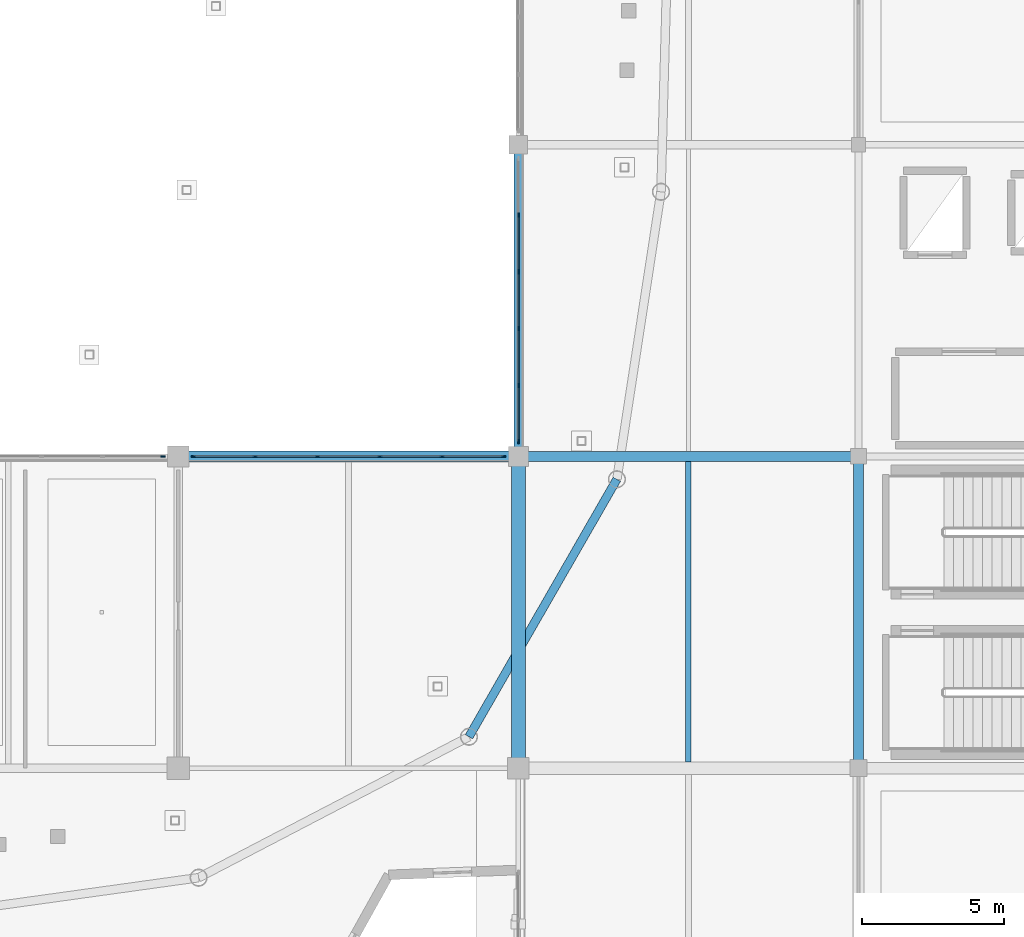
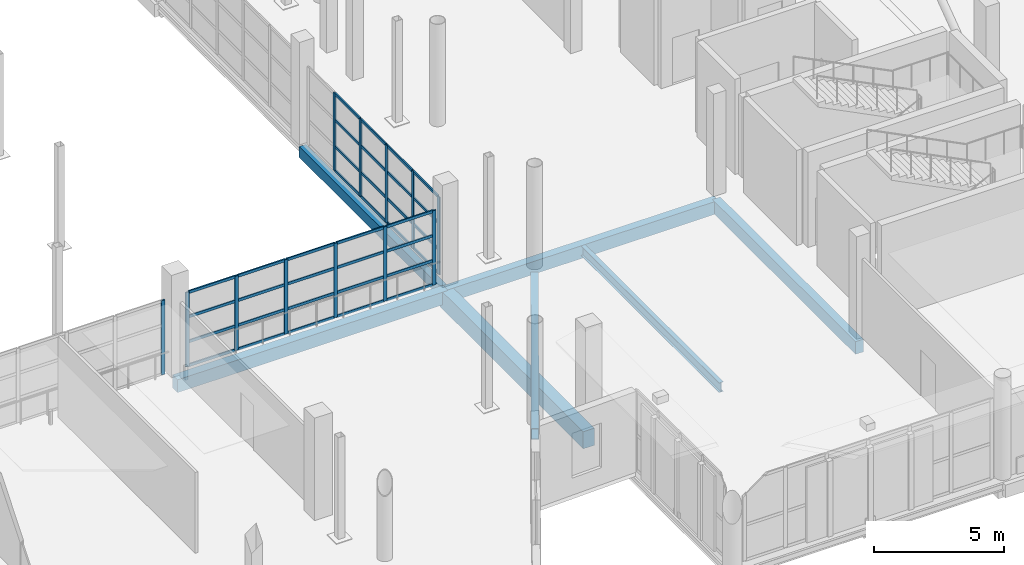
# One storey, part 56 of 143: 48 members, 7 beams, 3 elements without a shape of their own.
"""IFC4 building model written with IfcOpenShell, lengths in metres."""

import ifcopenshell
import ifcopenshell.guid

model = None  # the IFC model being written
_history = None  # IfcOwnerHistory: only IFC2X3 demands one
_inside = {}  # id of a spatial element -> (the spatial element, [elements in it])
_under = {}  # id of a project, library or spatial element -> (it, [spatial elements below it])
_declared = {}  # id of a project -> (the project, [libraries it declares])
_typed = {}  # id of a type object -> (the type object, [elements of that type])
_made_of = {}  # id of a material, layer set ... -> (it, [elements and type objects made of it])


def new_model(schema):
    """Start an empty IFC model of exactly this schema.

    Asked for "IFC4X3", IfcOpenShell would pick the latest addendum, in which some entities
    have other attributes; the version numbers below select the first issue.
    IFC2X3 requires an IfcOwnerHistory on every rooted entity: one is made here for all.
    """
    global model, _history
    if schema == "IFC4X3":
        model = ifcopenshell.file(schema_version=(4, 3, 0, 0))
    else:
        model = ifcopenshell.file(schema=schema)
    _inside.clear()
    _under.clear()
    _declared.clear()
    _typed.clear()
    _made_of.clear()
    _history = None
    if model.schema == "IFC2X3":
        org = make("IfcOrganization", Name="unknown")
        user = make(
            "IfcPersonAndOrganization",
            ThePerson=make("IfcPerson", FamilyName="unknown"),
            TheOrganization=org,
        )
        app = make(
            "IfcApplication",
            ApplicationDeveloper=org,
            Version="unknown",
            ApplicationFullName="unknown",
            ApplicationIdentifier="unknown",
        )
        _history = make(
            "IfcOwnerHistory",
            OwningUser=user,
            OwningApplication=app,
            ChangeAction="ADDED",
            CreationDate=0,
        )
    return model


def make(cls, **values):
    """One entity of the class cls with the attributes given. An attribute that is None is left unset."""
    return model.create_entity(
        cls, **{name: value for name, value in values.items() if value is not None}
    )


def rooted(cls, **values):
    """An entity with a GlobalId (a new one), such as an element, a storey or a relation."""
    return make(cls, GlobalId=ifcopenshell.guid.new(), OwnerHistory=_history, **values)


def si_unit(unit_type, name, prefix=None):
    """IfcSIUnit, for example si_unit("LENGTHUNIT", "METRE", prefix="MILLI")."""
    return make("IfcSIUnit", UnitType=unit_type, Prefix=prefix, Name=name)


def assignment(units):
    """IfcUnitAssignment: the units of a project."""
    return None if units is None else make("IfcUnitAssignment", Units=units)


def point(xyz):
    """IfcCartesianPoint."""
    return None if xyz is None else make("IfcCartesianPoint", Coordinates=xyz)


def direction(xyz):
    """IfcDirection."""
    return None if xyz is None else make("IfcDirection", DirectionRatios=xyz)


def frame(location, z_axis=None, x_axis=None):
    """IfcAxis2Placement3D, a coordinate frame: its origin and axes. An axis left out is left unset."""
    return make(
        "IfcAxis2Placement3D",
        Location=point(location),
        Axis=direction(z_axis),
        RefDirection=direction(x_axis),
    )


def frame_2d(location, x_axis=None):
    """IfcAxis2Placement2D, a coordinate frame in the plane: its origin and x axis."""
    return make(
        "IfcAxis2Placement2D", Location=point(location), RefDirection=direction(x_axis)
    )


def origin():
    """The frame at (0, 0, 0) with its axes left unset."""
    return frame((0.0, 0.0, 0.0))


def origin_2d():
    """The frame at (0, 0) in the plane with its x axis left unset."""
    return frame_2d((0.0, 0.0))


def place(relative_to, where):
    """IfcLocalPlacement: puts the frame where relative to a parent placement (None: the world)."""
    return make(
        "IfcLocalPlacement", PlacementRelTo=relative_to, RelativePlacement=where
    )


def context(
    kind, dimensions, precision=None, world=None, true_north=None, identifier=None
):
    """IfcGeometricRepresentationContext, for example the 3D "Model" context."""
    return make(
        "IfcGeometricRepresentationContext",
        ContextIdentifier=identifier,
        ContextType=kind,
        CoordinateSpaceDimension=dimensions,
        Precision=precision,
        WorldCoordinateSystem=world,
        TrueNorth=true_north,
    )


def subcontext(parent, identifier, kind, view, scale=None):
    """IfcGeometricRepresentationSubContext, for example "Body" below "Model"."""
    return make(
        "IfcGeometricRepresentationSubContext",
        ContextIdentifier=identifier,
        ContextType=kind,
        ParentContext=parent,
        TargetScale=scale,
        TargetView=view,
    )


def project(units=None, contexts=None):
    """IfcProject with its units and contexts."""
    return rooted(
        "IfcProject",
        Name="project",
        RepresentationContexts=contexts,
        UnitsInContext=assignment(units),
    )


def spatial(cls, under=None, at=None, **own):
    """A site, building, storey or space (cls), placed at a placement, below another one or the project."""
    s = rooted(cls, ObjectPlacement=at, **own)
    if under is not None:
        _under.setdefault(under.id(), (under, []))[1].append(s)
    return s


def profile(cls, at=None, kind="AREA", **sizes):
    """A parametric profile (cls). Its sizes go by their IFC names, for example OverallWidth=200.0."""
    return make(cls, ProfileType=kind, Position=at, **sizes)


def rectangle(**sizes):
    """IfcRectangleProfileDef."""
    return profile("IfcRectangleProfileDef", **sizes)


def hollow_rectangle(**sizes):
    """IfcRectangleHollowProfileDef."""
    return profile("IfcRectangleHollowProfileDef", **sizes)


def i_section(**sizes):
    """IfcIShapeProfileDef."""
    return profile("IfcIShapeProfileDef", **sizes)


def extrude(swept, where, along, depth):
    """IfcExtrudedAreaSolid: the profile swept, set in the frame where, extruded along a direction by depth."""
    return make(
        "IfcExtrudedAreaSolid",
        SweptArea=swept,
        Position=where,
        ExtrudedDirection=direction(along),
        Depth=depth,
    )


def shape(context_of_items, identifier, shape_type, items):
    """IfcShapeRepresentation: the items that make up one representation, for example the "Body"."""
    return make(
        "IfcShapeRepresentation",
        ContextOfItems=context_of_items,
        RepresentationIdentifier=identifier,
        RepresentationType=shape_type,
        Items=items,
    )


def material(Name=None, Category=None):
    """IfcMaterial."""
    return make("IfcMaterial", Name=Name, Category=Category)


def material_profile(
    of_material, cross_section, Name=None, Category=None, Priority=None
):
    """IfcMaterialProfile: a cross section and its material."""
    return make(
        "IfcMaterialProfile",
        Name=Name,
        Material=of_material,
        Profile=cross_section,
        Priority=Priority,
        Category=Category,
    )


def profile_set(profiles, Name=None, composite=None):
    """IfcMaterialProfileSet."""
    return make(
        "IfcMaterialProfileSet",
        Name=Name,
        MaterialProfiles=profiles,
        CompositeProfile=composite,
    )


def made_of(thing, what):
    """Note that an element or type object is made of a material, layer set ...; save() writes the relation."""
    if what is not None:
        _made_of.setdefault(what.id(), (what, []))[1].append(thing)
    return thing


def type_object(cls, material=None, **own):
    """A type object (cls), such as IfcWallType, which elements share."""
    return made_of(rooted(cls, **own), material)


def element(
    cls,
    number,
    at=None,
    inside=None,
    cuts=None,
    type_object=None,
    material=None,
    context=None,
    identifier="Body",
    shape_type=None,
    held_by="IfcProductDefinitionShape",
    body=None,
    shapes=None,
    **own,
):
    """One element of the class cls, such as IfcWall. Its Tag is "e" and its number.

    at: its placement. inside: the storey or other place that contains it. cuts: it is an
    opening in that element (IfcRelVoidsElement). A single representation is given by context,
    identifier, shape_type and body (its items); several are given by shapes. held_by: the class
    of the entity that holds the representations. save() writes the other relations.
    """
    e = rooted(cls, Tag="e%d" % number, ObjectPlacement=at, **own)
    if body is not None:
        shapes = [shape(context, identifier, shape_type, body)]
    if shapes is not None:
        e.Representation = make(held_by, Representations=shapes)
    if inside is not None:
        _inside.setdefault(inside.id(), (inside, []))[1].append(e)
    if cuts is not None:
        rooted(
            "IfcRelVoidsElement", RelatingBuildingElement=cuts, RelatedOpeningElement=e
        )
    if type_object is not None:
        _typed.setdefault(type_object.id(), (type_object, []))[1].append(e)
    return made_of(e, material)


def aggregate(whole, parts):
    """IfcRelAggregates: a whole, such as a stair, and the parts it consists of."""
    return rooted("IfcRelAggregates", RelatingObject=whole, RelatedObjects=parts)


def save(model, path):
    """Write the relations noted so far, then the file.

    IfcRelAggregates (storeys below a building ...), IfcRelContainedInSpatialStructure (elements
    in a storey), IfcRelDefinesByType, IfcRelAssociatesMaterial and IfcRelDeclares: one each for
    every whole, place, type object, material and project.
    """
    for whole, parts in _under.values():
        aggregate(whole, parts)
    for where, things in _inside.values():
        rooted(
            "IfcRelContainedInSpatialStructure",
            RelatedElements=things,
            RelatingStructure=where,
        )
    for kind, things in _typed.values():
        rooted("IfcRelDefinesByType", RelatedObjects=things, RelatingType=kind)
    for what, things in _made_of.values():
        rooted("IfcRelAssociatesMaterial", RelatedObjects=things, RelatingMaterial=what)
    for by, libraries in _declared.values():
        rooted("IfcRelDeclares", RelatingContext=by, RelatedDefinitions=libraries)
    model.write(path)


model = new_model("IFC4")

# Units and contexts
model_context = context("Model", 3, precision=1e-05, world=origin(), true_north=direction((0.0, 1.0)))
body_context = subcontext(model_context, "Body", "Model", "MODEL_VIEW")
ifc_project = project(units=[si_unit("LENGTHUNIT", "METRE"), si_unit("AREAUNIT", "SQUARE_METRE"), si_unit("VOLUMEUNIT", "CUBIC_METRE"), si_unit("PLANEANGLEUNIT", "RADIAN"), si_unit("MASSUNIT", "GRAM", prefix="KILO")], contexts=[model_context])

# Site, building, storey
site_placement = place(None, origin())
site = spatial("IfcSite", under=ifc_project, at=site_placement, CompositionType="ELEMENT")
building_placement = place(site_placement, origin())
building = spatial("IfcBuilding", under=site, at=building_placement, Name="Luwafu Chhajja Arena", CompositionType="ELEMENT")
storey_placement = place(building_placement, frame((0.0, 0.0, 5.39990234375)))
storey = spatial("IfcBuildingStorey", under=building, at=storey_placement, Name="L01", CompositionType="ELEMENT", Elevation=5.39990234375)

# Beams
ifc_material_1 = material(Name="Concrete C35/45", Category="concrete")
ifc_material_profile_1 = material_profile(ifc_material_1, rectangle(XDim=0.35009765625, YDim=0.60009765625, at=origin_2d()), Name="RC 350x600")
ifc_profile_set_1 = profile_set([ifc_material_profile_1], Name="Concrete C35/45")
beam_type_1 = type_object("IfcBeamType", Name="Arcade Tie Beam RC 350x600", PredefinedType="BEAM", material=ifc_profile_set_1)
beam_1_placement = place(storey_placement, frame((140.0, 22.0, -0.6298828125), z_axis=(1.0, 0.0, 0.0), x_axis=(0.0, 1.0, 0.0)))
element("IfcBeam", 1, at=beam_1_placement, inside=storey, type_object=beam_type_1, Name="L01 Grid Beam 13-14/C", PredefinedType="BEAM", context=body_context, shape_type="SweptSolid", body=[
    extrude(rectangle(XDim=0.35009765625, YDim=0.60009765625, at=origin_2d()), origin(), (0.0, 0.0, 1.0), 12.0),
])
beam_2_placement = place(storey_placement, frame((152.0, 11.0, -0.6298828125), z_axis=(0.0, 1.0, 0.0), x_axis=(-1.0, 0.0, 0.0)))
element("IfcBeam", 2, at=beam_2_placement, inside=storey, type_object=beam_type_1, Name="L01 Grid Beam 14/B-C", PredefinedType="BEAM", context=body_context, shape_type="SweptSolid", body=[
    extrude(rectangle(XDim=0.35009765625, YDim=0.60009765625, at=origin_2d()), origin(), (0.0, 0.0, 1.0), 11.0),
])

# Curtain wall, member
ifc_material_2 = material(Name="Anodised bronze aluminium", Category="aluminium")
curtain_wall_type = type_object("IfcCurtainWallType", Name="Bowl Concourse Chord Curtain Wall", PredefinedType="USERDEFINED", material=ifc_material_2)
curtain_wall_1_placement = place(storey_placement, origin())
curtain_wall_1 = element("IfcCurtainWall", 3, at=curtain_wall_1_placement, inside=storey, type_object=curtain_wall_type, Name="L01 Bowl Viewing Curtain Wall CWR-L01-06", ObjectType="CURTAIN WALL", PredefinedType="USERDEFINED")
ifc_material_profile_2 = material_profile(ifc_material_2, rectangle(XDim=0.06005859375, YDim=0.159912109375, at=origin_2d()), Name="CWM 60x160")
ifc_profile_set_2 = profile_set([ifc_material_profile_2], Name="Anodised bronze aluminium")
member_type_1 = type_object("IfcMemberType", Name="Bronze Curtain Wall Mullion 60x160", PredefinedType="MULLION", material=ifc_profile_set_2)
member_1_placement = place(storey_placement, frame((127.455078125, 22.0, 0.0), z_axis=(0.0, 0.0, 1.0), x_axis=(0.0, 1.0, 0.0)))
member_1 = element("IfcMember", 4, at=member_1_placement, type_object=member_type_1, Name="CW-01 mullion 5", PredefinedType="MULLION", context=body_context, shape_type="SweptSolid", body=[
    extrude(rectangle(XDim=0.06005859375, YDim=0.159912109375, at=origin_2d()), origin(), (0.0, 0.0, 1.0), 3.489990234375),
])
aggregate(curtain_wall_1, [member_1])

# Curtain wall, members
curtain_wall_2_placement = place(storey_placement, origin())
curtain_wall_2 = element("IfcCurtainWall", 5, at=curtain_wall_2_placement, inside=storey, type_object=curtain_wall_type, Name="L01 Bowl Viewing Curtain Wall CWR-L01-07", ObjectType="CURTAIN WALL", PredefinedType="USERDEFINED")
member_2_placement = place(storey_placement, frame((128.544921875, 22.0, 0.0), z_axis=(0.0, 0.0, 1.0), x_axis=(0.0, 1.0, 0.0)))
member_2 = element("IfcMember", 6, at=member_2_placement, type_object=member_type_1, Name="CW-01 mullion 1", PredefinedType="MULLION", context=body_context, shape_type="SweptSolid", body=[
    extrude(rectangle(XDim=0.06005859375, YDim=0.159912109375, at=origin_2d()), origin(), (0.0, 0.0, 1.0), 3.489990234375),
])
member_3_placement = place(storey_placement, frame((130.714111328125, 22.0, 0.0), z_axis=(0.0, 0.0, 1.0), x_axis=(0.0, 1.0, 0.0)))
member_3 = element("IfcMember", 7, at=member_3_placement, type_object=member_type_1, Name="CW-01 mullion 2", PredefinedType="MULLION", context=body_context, shape_type="SweptSolid", body=[
    extrude(rectangle(XDim=0.06005859375, YDim=0.159912109375, at=origin_2d()), origin(), (0.0, 0.0, 1.0), 3.489990234375),
])
member_4_placement = place(storey_placement, frame((132.9130859375, 22.0, 0.0), z_axis=(0.0, 0.0, 1.0), x_axis=(0.0, 1.0, 0.0)))
member_4 = element("IfcMember", 8, at=member_4_placement, type_object=member_type_1, Name="CW-01 mullion 3", PredefinedType="MULLION", context=body_context, shape_type="SweptSolid", body=[
    extrude(rectangle(XDim=0.06005859375, YDim=0.159912109375, at=origin_2d()), origin(), (0.0, 0.0, 1.0), 3.489990234375),
])
member_5_placement = place(storey_placement, frame((135.112060546875, 22.0, 0.0), z_axis=(0.0, 0.0, 1.0), x_axis=(0.0, 1.0, 0.0)))
member_5 = element("IfcMember", 9, at=member_5_placement, type_object=member_type_1, Name="CW-01 mullion 4", PredefinedType="MULLION", context=body_context, shape_type="SweptSolid", body=[
    extrude(rectangle(XDim=0.06005859375, YDim=0.159912109375, at=origin_2d()), origin(), (0.0, 0.0, 1.0), 3.489990234375),
])
member_6_placement = place(storey_placement, frame((137.31103515625, 22.0, 0.0), z_axis=(0.0, 0.0, 1.0), x_axis=(0.0, 1.0, 0.0)))
member_6 = element("IfcMember", 10, at=member_6_placement, type_object=member_type_1, Name="CW-01 mullion 5", PredefinedType="MULLION", context=body_context, shape_type="SweptSolid", body=[
    extrude(rectangle(XDim=0.06005859375, YDim=0.159912109375, at=origin_2d()), origin(), (0.0, 0.0, 1.0), 3.489990234375),
])
member_7_placement = place(storey_placement, frame((139.47998046875, 22.0, 0.0), z_axis=(0.0, 0.0, 1.0), x_axis=(0.0, 1.0, 0.0)))
member_7 = element("IfcMember", 11, at=member_7_placement, type_object=member_type_1, Name="CW-01 mullion 6", PredefinedType="MULLION", context=body_context, shape_type="SweptSolid", body=[
    extrude(rectangle(XDim=0.06005859375, YDim=0.159912109375, at=origin_2d()), origin(), (0.0, 0.0, 1.0), 3.489990234375),
])

curtain_wall_3_placement = place(storey_placement, origin())
curtain_wall_3 = element("IfcCurtainWall", 12, at=curtain_wall_3_placement, inside=storey, type_object=curtain_wall_type, Name="L01 Bowl Viewing Curtain Wall CWR-L01-20", ObjectType="CURTAIN WALL", PredefinedType="USERDEFINED")
member_8_placement = place(storey_placement, frame((140.0, 22.52001953125, 0.0), z_axis=(0.0, 0.0, 1.0), x_axis=(-1.0, 0.0, 0.0)))
member_8 = element("IfcMember", 13, at=member_8_placement, type_object=member_type_1, Name="CW-01 mullion 1", PredefinedType="MULLION", context=body_context, shape_type="SweptSolid", body=[
    extrude(rectangle(XDim=0.06005859375, YDim=0.159912109375, at=origin_2d()), origin(), (0.0, 0.0, 1.0), 3.64013671875),
])
member_9_placement = place(storey_placement, frame((140.0, 24.4990234375, 0.0), z_axis=(0.0, 0.0, 1.0), x_axis=(-1.0, 0.0, 0.0)))
member_9 = element("IfcMember", 14, at=member_9_placement, type_object=member_type_1, Name="CW-01 mullion 2", PredefinedType="MULLION", context=body_context, shape_type="SweptSolid", body=[
    extrude(rectangle(XDim=0.06005859375, YDim=0.159912109375, at=origin_2d()), origin(), (0.0, 0.0, 1.0), 3.64013671875),
])
member_10_placement = place(storey_placement, frame((140.0, 26.508056640625, 0.0), z_axis=(0.0, 0.0, 1.0), x_axis=(-1.0, 0.0, 0.0)))
member_10 = element("IfcMember", 15, at=member_10_placement, type_object=member_type_1, Name="CW-01 mullion 3", PredefinedType="MULLION", context=body_context, shape_type="SweptSolid", body=[
    extrude(rectangle(XDim=0.06005859375, YDim=0.159912109375, at=origin_2d()), origin(), (0.0, 0.0, 1.0), 3.64013671875),
])
member_11_placement = place(storey_placement, frame((140.0, 28.51708984375, 0.0), z_axis=(0.0, 0.0, 1.0), x_axis=(-1.0, 0.0, 0.0)))
member_11 = element("IfcMember", 16, at=member_11_placement, type_object=member_type_1, Name="CW-01 mullion 4", PredefinedType="MULLION", context=body_context, shape_type="SweptSolid", body=[
    extrude(rectangle(XDim=0.06005859375, YDim=0.159912109375, at=origin_2d()), origin(), (0.0, 0.0, 1.0), 3.64013671875),
])
member_12_placement = place(storey_placement, frame((140.0, 30.52587890625, 0.0), z_axis=(0.0, 0.0, 1.0), x_axis=(-1.0, 0.0, 0.0)))
member_12 = element("IfcMember", 17, at=member_12_placement, type_object=member_type_1, Name="CW-01 mullion 5", PredefinedType="MULLION", context=body_context, shape_type="SweptSolid", body=[
    extrude(rectangle(XDim=0.06005859375, YDim=0.159912109375, at=origin_2d()), origin(), (0.0, 0.0, 1.0), 3.64013671875),
])

# Member
ifc_material_profile_3 = material_profile(ifc_material_2, rectangle(XDim=0.06005859375, YDim=0.1298828125, at=origin_2d()), Name="CWT 60x130")
ifc_profile_set_3 = profile_set([ifc_material_profile_3], Name="Anodised bronze aluminium")
member_type_2 = type_object("IfcMemberType", Name="Bronze Curtain Wall Transom 60x130", PredefinedType="USERDEFINED", material=ifc_profile_set_3)
member_13_placement = place(storey_placement, frame((128.574951171875, 22.0, 0.030029296875), z_axis=(1.0, 0.0, 0.0), x_axis=(0.0, 1.0, 0.0)))
member_13 = element("IfcMember", 18, at=member_13_placement, type_object=member_type_2, Name="CW-01 transom 1.1", ObjectType="TRANSOM", PredefinedType="USERDEFINED", context=body_context, shape_type="SweptSolid", body=[
    extrude(rectangle(XDim=0.06005859375, YDim=0.1298828125, at=origin_2d()), origin(), (0.0, 0.0, 1.0), 2.109130859375),
])

member_14_placement = place(storey_placement, frame((128.574951171875, 22.0, 1.150146484375), z_axis=(1.0, 0.0, 0.0), x_axis=(0.0, 1.0, 0.0)))
member_14 = element("IfcMember", 19, at=member_14_placement, type_object=member_type_2, Name="CW-01 transom 1.2", ObjectType="TRANSOM", PredefinedType="USERDEFINED", context=body_context, shape_type="SweptSolid", body=[
    extrude(rectangle(XDim=0.06005859375, YDim=0.1298828125, at=origin_2d()), origin(), (0.0, 0.0, 1.0), 2.109130859375),
])

member_15_placement = place(storey_placement, frame((128.574951171875, 22.0, 2.320068359375), z_axis=(1.0, 0.0, 0.0), x_axis=(0.0, 1.0, 0.0)))
member_15 = element("IfcMember", 20, at=member_15_placement, type_object=member_type_2, Name="CW-01 transom 1.3", ObjectType="TRANSOM", PredefinedType="USERDEFINED", context=body_context, shape_type="SweptSolid", body=[
    extrude(rectangle(XDim=0.06005859375, YDim=0.1298828125, at=origin_2d()), origin(), (0.0, 0.0, 1.0), 2.109130859375),
])

member_16_placement = place(storey_placement, frame((128.574951171875, 22.0, 3.460205078125), z_axis=(1.0, 0.0, 0.0), x_axis=(0.0, 1.0, 0.0)))
member_16 = element("IfcMember", 21, at=member_16_placement, type_object=member_type_2, Name="CW-01 transom 1.4", ObjectType="TRANSOM", PredefinedType="USERDEFINED", context=body_context, shape_type="SweptSolid", body=[
    extrude(rectangle(XDim=0.06005859375, YDim=0.1298828125, at=origin_2d()), origin(), (0.0, 0.0, 1.0), 2.109130859375),
])

member_17_placement = place(storey_placement, frame((130.743896484375, 22.0, 0.030029296875), z_axis=(1.0, 0.0, 0.0), x_axis=(0.0, 1.0, 0.0)))
member_17 = element("IfcMember", 22, at=member_17_placement, type_object=member_type_2, Name="CW-01 transom 2.1", ObjectType="TRANSOM", PredefinedType="USERDEFINED", context=body_context, shape_type="SweptSolid", body=[
    extrude(rectangle(XDim=0.06005859375, YDim=0.1298828125, at=origin_2d()), origin(), (0.0, 0.0, 1.0), 2.13916015625),
])

member_18_placement = place(storey_placement, frame((130.743896484375, 22.0, 1.150146484375), z_axis=(1.0, 0.0, 0.0), x_axis=(0.0, 1.0, 0.0)))
member_18 = element("IfcMember", 23, at=member_18_placement, type_object=member_type_2, Name="CW-01 transom 2.2", ObjectType="TRANSOM", PredefinedType="USERDEFINED", context=body_context, shape_type="SweptSolid", body=[
    extrude(rectangle(XDim=0.06005859375, YDim=0.1298828125, at=origin_2d()), origin(), (0.0, 0.0, 1.0), 2.13916015625),
])

member_19_placement = place(storey_placement, frame((130.743896484375, 22.0, 2.320068359375), z_axis=(1.0, 0.0, 0.0), x_axis=(0.0, 1.0, 0.0)))
member_19 = element("IfcMember", 24, at=member_19_placement, type_object=member_type_2, Name="CW-01 transom 2.3", ObjectType="TRANSOM", PredefinedType="USERDEFINED", context=body_context, shape_type="SweptSolid", body=[
    extrude(rectangle(XDim=0.06005859375, YDim=0.1298828125, at=origin_2d()), origin(), (0.0, 0.0, 1.0), 2.13916015625),
])

member_20_placement = place(storey_placement, frame((130.743896484375, 22.0, 3.460205078125), z_axis=(1.0, 0.0, 0.0), x_axis=(0.0, 1.0, 0.0)))
member_20 = element("IfcMember", 25, at=member_20_placement, type_object=member_type_2, Name="CW-01 transom 2.4", ObjectType="TRANSOM", PredefinedType="USERDEFINED", context=body_context, shape_type="SweptSolid", body=[
    extrude(rectangle(XDim=0.06005859375, YDim=0.1298828125, at=origin_2d()), origin(), (0.0, 0.0, 1.0), 2.13916015625),
])

member_21_placement = place(storey_placement, frame((132.943115234375, 22.0, 0.030029296875), z_axis=(1.0, 0.0, 0.0), x_axis=(0.0, 1.0, 0.0)))
member_21 = element("IfcMember", 26, at=member_21_placement, type_object=member_type_2, Name="CW-01 transom 3.1", ObjectType="TRANSOM", PredefinedType="USERDEFINED", context=body_context, shape_type="SweptSolid", body=[
    extrude(rectangle(XDim=0.06005859375, YDim=0.1298828125, at=origin_2d()), origin(), (0.0, 0.0, 1.0), 2.138916015625),
])

member_22_placement = place(storey_placement, frame((132.943115234375, 22.0, 1.150146484375), z_axis=(1.0, 0.0, 0.0), x_axis=(0.0, 1.0, 0.0)))
member_22 = element("IfcMember", 27, at=member_22_placement, type_object=member_type_2, Name="CW-01 transom 3.2", ObjectType="TRANSOM", PredefinedType="USERDEFINED", context=body_context, shape_type="SweptSolid", body=[
    extrude(rectangle(XDim=0.06005859375, YDim=0.1298828125, at=origin_2d()), origin(), (0.0, 0.0, 1.0), 2.138916015625),
])

member_23_placement = place(storey_placement, frame((132.943115234375, 22.0, 2.320068359375), z_axis=(1.0, 0.0, 0.0), x_axis=(0.0, 1.0, 0.0)))
member_23 = element("IfcMember", 28, at=member_23_placement, type_object=member_type_2, Name="CW-01 transom 3.3", ObjectType="TRANSOM", PredefinedType="USERDEFINED", context=body_context, shape_type="SweptSolid", body=[
    extrude(rectangle(XDim=0.06005859375, YDim=0.1298828125, at=origin_2d()), origin(), (0.0, 0.0, 1.0), 2.138916015625),
])

member_24_placement = place(storey_placement, frame((132.943115234375, 22.0, 3.460205078125), z_axis=(1.0, 0.0, 0.0), x_axis=(0.0, 1.0, 0.0)))
member_24 = element("IfcMember", 29, at=member_24_placement, type_object=member_type_2, Name="CW-01 transom 3.4", ObjectType="TRANSOM", PredefinedType="USERDEFINED", context=body_context, shape_type="SweptSolid", body=[
    extrude(rectangle(XDim=0.06005859375, YDim=0.1298828125, at=origin_2d()), origin(), (0.0, 0.0, 1.0), 2.138916015625),
])

member_25_placement = place(storey_placement, frame((135.14208984375, 22.0, 0.030029296875), z_axis=(1.0, 0.0, 0.0), x_axis=(0.0, 1.0, 0.0)))
member_25 = element("IfcMember", 30, at=member_25_placement, type_object=member_type_2, Name="CW-01 transom 4.1", ObjectType="TRANSOM", PredefinedType="USERDEFINED", context=body_context, shape_type="SweptSolid", body=[
    extrude(rectangle(XDim=0.06005859375, YDim=0.1298828125, at=origin_2d()), origin(), (0.0, 0.0, 1.0), 2.138916015625),
])

member_26_placement = place(storey_placement, frame((135.14208984375, 22.0, 1.150146484375), z_axis=(1.0, 0.0, 0.0), x_axis=(0.0, 1.0, 0.0)))
member_26 = element("IfcMember", 31, at=member_26_placement, type_object=member_type_2, Name="CW-01 transom 4.2", ObjectType="TRANSOM", PredefinedType="USERDEFINED", context=body_context, shape_type="SweptSolid", body=[
    extrude(rectangle(XDim=0.06005859375, YDim=0.1298828125, at=origin_2d()), origin(), (0.0, 0.0, 1.0), 2.138916015625),
])

member_27_placement = place(storey_placement, frame((135.14208984375, 22.0, 2.320068359375), z_axis=(1.0, 0.0, 0.0), x_axis=(0.0, 1.0, 0.0)))
member_27 = element("IfcMember", 32, at=member_27_placement, type_object=member_type_2, Name="CW-01 transom 4.3", ObjectType="TRANSOM", PredefinedType="USERDEFINED", context=body_context, shape_type="SweptSolid", body=[
    extrude(rectangle(XDim=0.06005859375, YDim=0.1298828125, at=origin_2d()), origin(), (0.0, 0.0, 1.0), 2.138916015625),
])

member_28_placement = place(storey_placement, frame((135.14208984375, 22.0, 3.460205078125), z_axis=(1.0, 0.0, 0.0), x_axis=(0.0, 1.0, 0.0)))
member_28 = element("IfcMember", 33, at=member_28_placement, type_object=member_type_2, Name="CW-01 transom 4.4", ObjectType="TRANSOM", PredefinedType="USERDEFINED", context=body_context, shape_type="SweptSolid", body=[
    extrude(rectangle(XDim=0.06005859375, YDim=0.1298828125, at=origin_2d()), origin(), (0.0, 0.0, 1.0), 2.138916015625),
])

member_29_placement = place(storey_placement, frame((137.341064453125, 22.0, 0.030029296875), z_axis=(1.0, 0.0, 0.0), x_axis=(0.0, 1.0, 0.0)))
member_29 = element("IfcMember", 34, at=member_29_placement, type_object=member_type_2, Name="CW-01 transom 5.1", ObjectType="TRANSOM", PredefinedType="USERDEFINED", context=body_context, shape_type="SweptSolid", body=[
    extrude(rectangle(XDim=0.06005859375, YDim=0.1298828125, at=origin_2d()), origin(), (0.0, 0.0, 1.0), 2.10888671875),
])

member_30_placement = place(storey_placement, frame((137.341064453125, 22.0, 1.150146484375), z_axis=(1.0, 0.0, 0.0), x_axis=(0.0, 1.0, 0.0)))
member_30 = element("IfcMember", 35, at=member_30_placement, type_object=member_type_2, Name="CW-01 transom 5.2", ObjectType="TRANSOM", PredefinedType="USERDEFINED", context=body_context, shape_type="SweptSolid", body=[
    extrude(rectangle(XDim=0.06005859375, YDim=0.1298828125, at=origin_2d()), origin(), (0.0, 0.0, 1.0), 2.10888671875),
])

member_31_placement = place(storey_placement, frame((137.341064453125, 22.0, 2.320068359375), z_axis=(1.0, 0.0, 0.0), x_axis=(0.0, 1.0, 0.0)))
member_31 = element("IfcMember", 36, at=member_31_placement, type_object=member_type_2, Name="CW-01 transom 5.3", ObjectType="TRANSOM", PredefinedType="USERDEFINED", context=body_context, shape_type="SweptSolid", body=[
    extrude(rectangle(XDim=0.06005859375, YDim=0.1298828125, at=origin_2d()), origin(), (0.0, 0.0, 1.0), 2.10888671875),
])

member_32_placement = place(storey_placement, frame((137.341064453125, 22.0, 3.460205078125), z_axis=(1.0, 0.0, 0.0), x_axis=(0.0, 1.0, 0.0)))
member_32 = element("IfcMember", 37, at=member_32_placement, type_object=member_type_2, Name="CW-01 transom 5.4", ObjectType="TRANSOM", PredefinedType="USERDEFINED", context=body_context, shape_type="SweptSolid", body=[
    extrude(rectangle(XDim=0.06005859375, YDim=0.1298828125, at=origin_2d()), origin(), (0.0, 0.0, 1.0), 2.10888671875),
])

aggregate(curtain_wall_2, [member_2, member_3, member_4, member_5, member_6, member_7, member_13, member_14, member_15, member_16, member_17, member_18, member_19, member_20, member_21, member_22, member_23, member_24, member_25, member_26, member_27, member_28, member_29, member_30, member_31, member_32])

member_33_placement = place(storey_placement, frame((140.0, 22.550048828125, 0.030029296875), z_axis=(0.0, 1.0, 0.0), x_axis=(-1.0, 0.0, 0.0)))
member_33 = element("IfcMember", 38, at=member_33_placement, type_object=member_type_2, Name="CW-01 transom 1.1", ObjectType="TRANSOM", PredefinedType="USERDEFINED", context=body_context, shape_type="SweptSolid", body=[
    extrude(rectangle(XDim=0.06005859375, YDim=0.1298828125, at=origin_2d()), origin(), (0.0, 0.0, 1.0), 1.9189453125),
])

member_34_placement = place(storey_placement, frame((140.0, 22.550048828125, 1.150146484375), z_axis=(0.0, 1.0, 0.0), x_axis=(-1.0, 0.0, 0.0)))
member_34 = element("IfcMember", 39, at=member_34_placement, type_object=member_type_2, Name="CW-01 transom 1.2", ObjectType="TRANSOM", PredefinedType="USERDEFINED", context=body_context, shape_type="SweptSolid", body=[
    extrude(rectangle(XDim=0.06005859375, YDim=0.1298828125, at=origin_2d()), origin(), (0.0, 0.0, 1.0), 1.9189453125),
])

member_35_placement = place(storey_placement, frame((140.0, 22.550048828125, 2.39501953125), z_axis=(0.0, 1.0, 0.0), x_axis=(-1.0, 0.0, 0.0)))
member_35 = element("IfcMember", 40, at=member_35_placement, type_object=member_type_2, Name="CW-01 transom 1.3", ObjectType="TRANSOM", PredefinedType="USERDEFINED", context=body_context, shape_type="SweptSolid", body=[
    extrude(rectangle(XDim=0.06005859375, YDim=0.1298828125, at=origin_2d()), origin(), (0.0, 0.0, 1.0), 1.9189453125),
])

member_36_placement = place(storey_placement, frame((140.0, 22.550048828125, 3.610107421875), z_axis=(0.0, 1.0, 0.0), x_axis=(-1.0, 0.0, 0.0)))
member_36 = element("IfcMember", 41, at=member_36_placement, type_object=member_type_2, Name="CW-01 transom 1.4", ObjectType="TRANSOM", PredefinedType="USERDEFINED", context=body_context, shape_type="SweptSolid", body=[
    extrude(rectangle(XDim=0.06005859375, YDim=0.1298828125, at=origin_2d()), origin(), (0.0, 0.0, 1.0), 1.9189453125),
])

member_37_placement = place(storey_placement, frame((140.0, 24.529052734375, 0.030029296875), z_axis=(0.0, 1.0, 0.0), x_axis=(-1.0, 0.0, 0.0)))
member_37 = element("IfcMember", 42, at=member_37_placement, type_object=member_type_2, Name="CW-01 transom 2.1", ObjectType="TRANSOM", PredefinedType="USERDEFINED", context=body_context, shape_type="SweptSolid", body=[
    extrude(rectangle(XDim=0.06005859375, YDim=0.1298828125, at=origin_2d()), origin(), (0.0, 0.0, 1.0), 1.948974609375),
])

member_38_placement = place(storey_placement, frame((140.0, 24.529052734375, 1.150146484375), z_axis=(0.0, 1.0, 0.0), x_axis=(-1.0, 0.0, 0.0)))
member_38 = element("IfcMember", 43, at=member_38_placement, type_object=member_type_2, Name="CW-01 transom 2.2", ObjectType="TRANSOM", PredefinedType="USERDEFINED", context=body_context, shape_type="SweptSolid", body=[
    extrude(rectangle(XDim=0.06005859375, YDim=0.1298828125, at=origin_2d()), origin(), (0.0, 0.0, 1.0), 1.948974609375),
])

member_39_placement = place(storey_placement, frame((140.0, 24.529052734375, 2.39501953125), z_axis=(0.0, 1.0, 0.0), x_axis=(-1.0, 0.0, 0.0)))
member_39 = element("IfcMember", 44, at=member_39_placement, type_object=member_type_2, Name="CW-01 transom 2.3", ObjectType="TRANSOM", PredefinedType="USERDEFINED", context=body_context, shape_type="SweptSolid", body=[
    extrude(rectangle(XDim=0.06005859375, YDim=0.1298828125, at=origin_2d()), origin(), (0.0, 0.0, 1.0), 1.948974609375),
])

member_40_placement = place(storey_placement, frame((140.0, 24.529052734375, 3.610107421875), z_axis=(0.0, 1.0, 0.0), x_axis=(-1.0, 0.0, 0.0)))
member_40 = element("IfcMember", 45, at=member_40_placement, type_object=member_type_2, Name="CW-01 transom 2.4", ObjectType="TRANSOM", PredefinedType="USERDEFINED", context=body_context, shape_type="SweptSolid", body=[
    extrude(rectangle(XDim=0.06005859375, YDim=0.1298828125, at=origin_2d()), origin(), (0.0, 0.0, 1.0), 1.948974609375),
])

member_41_placement = place(storey_placement, frame((140.0, 26.5380859375, 0.030029296875), z_axis=(0.0, 1.0, 0.0), x_axis=(-1.0, 0.0, 0.0)))
member_41 = element("IfcMember", 46, at=member_41_placement, type_object=member_type_2, Name="CW-01 transom 3.1", ObjectType="TRANSOM", PredefinedType="USERDEFINED", context=body_context, shape_type="SweptSolid", body=[
    extrude(rectangle(XDim=0.06005859375, YDim=0.1298828125, at=origin_2d()), origin(), (0.0, 0.0, 1.0), 1.948974609375),
])

member_42_placement = place(storey_placement, frame((140.0, 26.5380859375, 1.150146484375), z_axis=(0.0, 1.0, 0.0), x_axis=(-1.0, 0.0, 0.0)))
member_42 = element("IfcMember", 47, at=member_42_placement, type_object=member_type_2, Name="CW-01 transom 3.2", ObjectType="TRANSOM", PredefinedType="USERDEFINED", context=body_context, shape_type="SweptSolid", body=[
    extrude(rectangle(XDim=0.06005859375, YDim=0.1298828125, at=origin_2d()), origin(), (0.0, 0.0, 1.0), 1.948974609375),
])

member_43_placement = place(storey_placement, frame((140.0, 26.5380859375, 2.39501953125), z_axis=(0.0, 1.0, 0.0), x_axis=(-1.0, 0.0, 0.0)))
member_43 = element("IfcMember", 48, at=member_43_placement, type_object=member_type_2, Name="CW-01 transom 3.3", ObjectType="TRANSOM", PredefinedType="USERDEFINED", context=body_context, shape_type="SweptSolid", body=[
    extrude(rectangle(XDim=0.06005859375, YDim=0.1298828125, at=origin_2d()), origin(), (0.0, 0.0, 1.0), 1.948974609375),
])

member_44_placement = place(storey_placement, frame((140.0, 26.5380859375, 3.610107421875), z_axis=(0.0, 1.0, 0.0), x_axis=(-1.0, 0.0, 0.0)))
member_44 = element("IfcMember", 49, at=member_44_placement, type_object=member_type_2, Name="CW-01 transom 3.4", ObjectType="TRANSOM", PredefinedType="USERDEFINED", context=body_context, shape_type="SweptSolid", body=[
    extrude(rectangle(XDim=0.06005859375, YDim=0.1298828125, at=origin_2d()), origin(), (0.0, 0.0, 1.0), 1.948974609375),
])

member_45_placement = place(storey_placement, frame((140.0, 28.547119140625, 0.030029296875), z_axis=(0.0, 1.0, 0.0), x_axis=(-1.0, 0.0, 0.0)))
member_45 = element("IfcMember", 50, at=member_45_placement, type_object=member_type_2, Name="CW-01 transom 4.1", ObjectType="TRANSOM", PredefinedType="USERDEFINED", context=body_context, shape_type="SweptSolid", body=[
    extrude(rectangle(XDim=0.06005859375, YDim=0.1298828125, at=origin_2d()), origin(), (0.0, 0.0, 1.0), 1.948974609375),
])

member_46_placement = place(storey_placement, frame((140.0, 28.547119140625, 1.150146484375), z_axis=(0.0, 1.0, 0.0), x_axis=(-1.0, 0.0, 0.0)))
member_46 = element("IfcMember", 51, at=member_46_placement, type_object=member_type_2, Name="CW-01 transom 4.2", ObjectType="TRANSOM", PredefinedType="USERDEFINED", context=body_context, shape_type="SweptSolid", body=[
    extrude(rectangle(XDim=0.06005859375, YDim=0.1298828125, at=origin_2d()), origin(), (0.0, 0.0, 1.0), 1.948974609375),
])

member_47_placement = place(storey_placement, frame((140.0, 28.547119140625, 2.39501953125), z_axis=(0.0, 1.0, 0.0), x_axis=(-1.0, 0.0, 0.0)))
member_47 = element("IfcMember", 52, at=member_47_placement, type_object=member_type_2, Name="CW-01 transom 4.3", ObjectType="TRANSOM", PredefinedType="USERDEFINED", context=body_context, shape_type="SweptSolid", body=[
    extrude(rectangle(XDim=0.06005859375, YDim=0.1298828125, at=origin_2d()), origin(), (0.0, 0.0, 1.0), 1.948974609375),
])

member_48_placement = place(storey_placement, frame((140.0, 28.547119140625, 3.610107421875), z_axis=(0.0, 1.0, 0.0), x_axis=(-1.0, 0.0, 0.0)))
member_48 = element("IfcMember", 53, at=member_48_placement, type_object=member_type_2, Name="CW-01 transom 4.4", ObjectType="TRANSOM", PredefinedType="USERDEFINED", context=body_context, shape_type="SweptSolid", body=[
    extrude(rectangle(XDim=0.06005859375, YDim=0.1298828125, at=origin_2d()), origin(), (0.0, 0.0, 1.0), 1.948974609375),
])

aggregate(curtain_wall_3, [member_8, member_9, member_10, member_11, member_12, member_33, member_34, member_35, member_36, member_37, member_38, member_39, member_40, member_41, member_42, member_43, member_44, member_45, member_46, member_47, member_48])

# Beams
ifc_material_3 = material(Name="Steel S355", Category="steel")
ifc_material_profile_4 = material_profile(ifc_material_3, i_section(OverallWidth=0.19140625, OverallDepth=0.4599609375, WebThickness=0.010009765625, FlangeThickness=0.01611328125, at=origin_2d()), Name="UB 457x191x82")
ifc_profile_set_4 = profile_set([ifc_material_profile_4], Name="Steel S355")
beam_type_2 = type_object("IfcBeamType", Name="Floor Joist UB 457x191x82", PredefinedType="JOIST", material=ifc_profile_set_4)
beam_3_placement = place(storey_placement, frame((146.0, 11.22509765625, -0.559814453125), z_axis=(0.0, 1.0, 0.0), x_axis=(-1.0, 0.0, 0.0)))
element("IfcBeam", 54, at=beam_3_placement, inside=storey, type_object=beam_type_2, Name="L01 Secondary Joist 13-14/B", PredefinedType="JOIST", context=body_context, shape_type="SweptSolid", body=[
    extrude(i_section(OverallWidth=0.19140625, OverallDepth=0.4599609375, WebThickness=0.010009765625, FlangeThickness=0.01611328125, at=origin_2d()), origin(), (0.0, 0.0, 1.0), 10.599853515625),
])
ifc_material_profile_5 = material_profile(ifc_material_1, rectangle(XDim=0.5, YDim=0.800048828125, at=origin_2d()), Name="RC 500x800")
ifc_profile_set_5 = profile_set([ifc_material_profile_5], Name="Concrete C35/45")
beam_type_3 = type_object("IfcBeamType", Name="Hospitality Primary Beam RC 500x800", PredefinedType="BEAM", material=ifc_profile_set_5)
beam_4_placement = place(storey_placement, frame((140.0, 11.0, -0.72998046875), z_axis=(0.0, 1.0, 0.0), x_axis=(-1.0, 0.0, 0.0)))
element("IfcBeam", 55, at=beam_4_placement, inside=storey, type_object=beam_type_3, Name="L01 Grid Beam 13/B-C", PredefinedType="BEAM", context=body_context, shape_type="SweptSolid", body=[
    extrude(rectangle(XDim=0.5, YDim=0.800048828125, at=origin_2d()), origin(), (0.0, 0.0, 1.0), 11.0),
])
ifc_material_profile_6 = material_profile(ifc_material_3, hollow_rectangle(XDim=0.300048828125, YDim=0.5, WallThickness=0.02001953125, at=origin_2d()), Name="RHS 500x300x20")
ifc_profile_set_6 = profile_set([ifc_material_profile_6], Name="Steel S355")
beam_type_4 = type_object("IfcBeamType", Name="Pleated Drum Spandrel Beam RHS 500x300", PredefinedType="SPANDREL", material=ifc_profile_set_6)
beam_5_placement = place(storey_placement, frame((140.0, 22.0, -0.579833984375), z_axis=(0.0, 1.0, 0.0), x_axis=(-1.0, 0.0, 0.0)))
element("IfcBeam", 56, at=beam_5_placement, inside=storey, type_object=beam_type_4, Name="L01 Grid Beam 13/C-D", PredefinedType="SPANDREL", context=body_context, shape_type="SweptSolid", body=[
    extrude(hollow_rectangle(XDim=0.300048828125, YDim=0.5, WallThickness=0.02001953125, at=origin_2d()), origin(), (0.0, 0.0, 1.0), 11.0),
])
beam_6_placement = place(storey_placement, frame((138.256103515625, 12.109130859375, -0.579833984375), z_axis=(0.498192671921, 0.867066353657, 0.0), x_axis=(-0.867066353657, 0.498192671921, 0.0)))
element("IfcBeam", 57, at=beam_6_placement, inside=storey, type_object=beam_type_4, Name="L01 Drum Ring Spandrel D29-D30", PredefinedType="SPANDREL", context=body_context, shape_type="SweptSolid", body=[
    extrude(hollow_rectangle(XDim=0.300048828125, YDim=0.5, WallThickness=0.02001953125, at=origin_2d()), origin(), (0.0, 0.0, 1.0), 10.477783203125),
])
ifc_material_profile_7 = material_profile(ifc_material_1, rectangle(XDim=0.39990234375, YDim=0.60009765625, at=origin_2d()), Name="RC 400x600")
ifc_profile_set_7 = profile_set([ifc_material_profile_7], Name="Concrete C35/45")
beam_type_5 = type_object("IfcBeamType", Name="Podium Perimeter Spandrel RC 400x600", PredefinedType="SPANDREL", material=ifc_profile_set_7)
beam_7_placement = place(storey_placement, frame((128.0, 22.0, -0.6298828125), z_axis=(1.0, 0.0, 0.0), x_axis=(0.0, 1.0, 0.0)))
element("IfcBeam", 58, at=beam_7_placement, inside=storey, type_object=beam_type_5, Name="L01 Grid Beam 12-13/C", PredefinedType="SPANDREL", context=body_context, shape_type="SweptSolid", body=[
    extrude(rectangle(XDim=0.39990234375, YDim=0.60009765625, at=origin_2d()), origin(), (0.0, 0.0, 1.0), 12.0),
])

save(model, "model.ifc")
